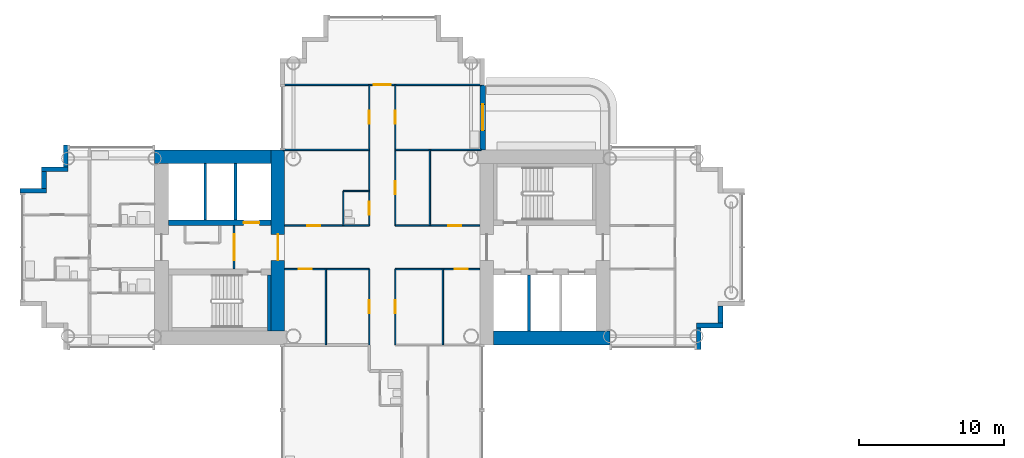
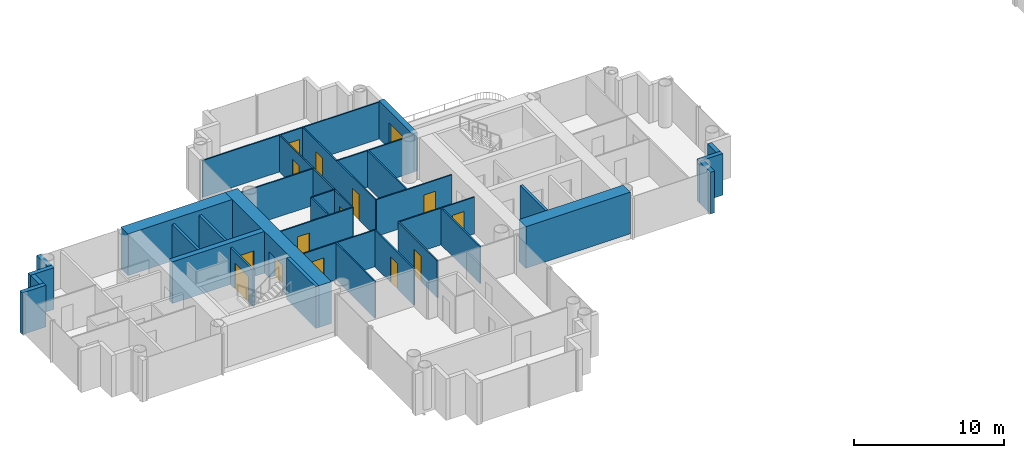
# One storey, part 10 of 21: 33 walls, 15 doors, 15 openings.
"""IFC4 building model written with IfcOpenShell, lengths in metres."""

import ifcopenshell
import ifcopenshell.guid

model = None  # the IFC model being written
_history = None  # IfcOwnerHistory: only IFC2X3 demands one
_inside = {}  # id of a spatial element -> (the spatial element, [elements in it])
_under = {}  # id of a project, library or spatial element -> (it, [spatial elements below it])
_declared = {}  # id of a project -> (the project, [libraries it declares])
_typed = {}  # id of a type object -> (the type object, [elements of that type])
_made_of = {}  # id of a material, layer set ... -> (it, [elements and type objects made of it])


def new_model(schema):
    """Start an empty IFC model of exactly this schema.

    Asked for "IFC4X3", IfcOpenShell would pick the latest addendum, in which some entities
    have other attributes; the version numbers below select the first issue.
    IFC2X3 requires an IfcOwnerHistory on every rooted entity: one is made here for all.
    """
    global model, _history
    if schema == "IFC4X3":
        model = ifcopenshell.file(schema_version=(4, 3, 0, 0))
    else:
        model = ifcopenshell.file(schema=schema)
    _inside.clear()
    _under.clear()
    _declared.clear()
    _typed.clear()
    _made_of.clear()
    _history = None
    if model.schema == "IFC2X3":
        org = make("IfcOrganization", Name="unknown")
        user = make(
            "IfcPersonAndOrganization",
            ThePerson=make("IfcPerson", FamilyName="unknown"),
            TheOrganization=org,
        )
        app = make(
            "IfcApplication",
            ApplicationDeveloper=org,
            Version="unknown",
            ApplicationFullName="unknown",
            ApplicationIdentifier="unknown",
        )
        _history = make(
            "IfcOwnerHistory",
            OwningUser=user,
            OwningApplication=app,
            ChangeAction="ADDED",
            CreationDate=0,
        )
    return model


def make(cls, **values):
    """One entity of the class cls with the attributes given. An attribute that is None is left unset."""
    return model.create_entity(
        cls, **{name: value for name, value in values.items() if value is not None}
    )


def rooted(cls, **values):
    """An entity with a GlobalId (a new one), such as an element, a storey or a relation."""
    return make(cls, GlobalId=ifcopenshell.guid.new(), OwnerHistory=_history, **values)


def si_unit(unit_type, name, prefix=None):
    """IfcSIUnit, for example si_unit("LENGTHUNIT", "METRE", prefix="MILLI")."""
    return make("IfcSIUnit", UnitType=unit_type, Prefix=prefix, Name=name)


def assignment(units):
    """IfcUnitAssignment: the units of a project."""
    return None if units is None else make("IfcUnitAssignment", Units=units)


def point(xyz):
    """IfcCartesianPoint."""
    return None if xyz is None else make("IfcCartesianPoint", Coordinates=xyz)


def direction(xyz):
    """IfcDirection."""
    return None if xyz is None else make("IfcDirection", DirectionRatios=xyz)


def frame(location, z_axis=None, x_axis=None):
    """IfcAxis2Placement3D, a coordinate frame: its origin and axes. An axis left out is left unset."""
    return make(
        "IfcAxis2Placement3D",
        Location=point(location),
        Axis=direction(z_axis),
        RefDirection=direction(x_axis),
    )


def frame_2d(location, x_axis=None):
    """IfcAxis2Placement2D, a coordinate frame in the plane: its origin and x axis."""
    return make(
        "IfcAxis2Placement2D", Location=point(location), RefDirection=direction(x_axis)
    )


def origin():
    """The frame at (0, 0, 0) with its axes left unset."""
    return frame((0.0, 0.0, 0.0))


def place(relative_to, where):
    """IfcLocalPlacement: puts the frame where relative to a parent placement (None: the world)."""
    return make(
        "IfcLocalPlacement", PlacementRelTo=relative_to, RelativePlacement=where
    )


def context(
    kind, dimensions, precision=None, world=None, true_north=None, identifier=None
):
    """IfcGeometricRepresentationContext, for example the 3D "Model" context."""
    return make(
        "IfcGeometricRepresentationContext",
        ContextIdentifier=identifier,
        ContextType=kind,
        CoordinateSpaceDimension=dimensions,
        Precision=precision,
        WorldCoordinateSystem=world,
        TrueNorth=true_north,
    )


def subcontext(parent, identifier, kind, view, scale=None):
    """IfcGeometricRepresentationSubContext, for example "Body" below "Model"."""
    return make(
        "IfcGeometricRepresentationSubContext",
        ContextIdentifier=identifier,
        ContextType=kind,
        ParentContext=parent,
        TargetScale=scale,
        TargetView=view,
    )


def project(units=None, contexts=None):
    """IfcProject with its units and contexts."""
    return rooted(
        "IfcProject",
        Name="project",
        RepresentationContexts=contexts,
        UnitsInContext=assignment(units),
    )


def spatial(cls, under=None, at=None, **own):
    """A site, building, storey or space (cls), placed at a placement, below another one or the project."""
    s = rooted(cls, ObjectPlacement=at, **own)
    if under is not None:
        _under.setdefault(under.id(), (under, []))[1].append(s)
    return s


def profile(cls, at=None, kind="AREA", **sizes):
    """A parametric profile (cls). Its sizes go by their IFC names, for example OverallWidth=200.0."""
    return make(cls, ProfileType=kind, Position=at, **sizes)


def rectangle(**sizes):
    """IfcRectangleProfileDef."""
    return profile("IfcRectangleProfileDef", **sizes)


def extrude(swept, where, along, depth):
    """IfcExtrudedAreaSolid: the profile swept, set in the frame where, extruded along a direction by depth."""
    return make(
        "IfcExtrudedAreaSolid",
        SweptArea=swept,
        Position=where,
        ExtrudedDirection=direction(along),
        Depth=depth,
    )


def shape(context_of_items, identifier, shape_type, items):
    """IfcShapeRepresentation: the items that make up one representation, for example the "Body"."""
    return make(
        "IfcShapeRepresentation",
        ContextOfItems=context_of_items,
        RepresentationIdentifier=identifier,
        RepresentationType=shape_type,
        Items=items,
    )


def material(Name=None, Category=None):
    """IfcMaterial."""
    return make("IfcMaterial", Name=Name, Category=Category)


def layer(
    of_material, thickness, ventilated=None, Name=None, Category=None, Priority=None
):
    """IfcMaterialLayer: one layer of a wall or slab, of a material (None: an air gap)."""
    return make(
        "IfcMaterialLayer",
        Material=of_material,
        LayerThickness=thickness,
        IsVentilated=ventilated,
        Name=Name,
        Category=Category,
        Priority=Priority,
    )


def layer_set(layers, Name=None):
    """IfcMaterialLayerSet."""
    return make("IfcMaterialLayerSet", MaterialLayers=layers, LayerSetName=Name)


def made_of(thing, what):
    """Note that an element or type object is made of a material, layer set ...; save() writes the relation."""
    if what is not None:
        _made_of.setdefault(what.id(), (what, []))[1].append(thing)
    return thing


def type_object(cls, material=None, **own):
    """A type object (cls), such as IfcWallType, which elements share."""
    return made_of(rooted(cls, **own), material)


def element(
    cls,
    number,
    at=None,
    inside=None,
    cuts=None,
    type_object=None,
    material=None,
    context=None,
    identifier="Body",
    shape_type=None,
    held_by="IfcProductDefinitionShape",
    body=None,
    shapes=None,
    **own,
):
    """One element of the class cls, such as IfcWall. Its Tag is "e" and its number.

    at: its placement. inside: the storey or other place that contains it. cuts: it is an
    opening in that element (IfcRelVoidsElement). A single representation is given by context,
    identifier, shape_type and body (its items); several are given by shapes. held_by: the class
    of the entity that holds the representations. save() writes the other relations.
    """
    e = rooted(cls, Tag="e%d" % number, ObjectPlacement=at, **own)
    if body is not None:
        shapes = [shape(context, identifier, shape_type, body)]
    if shapes is not None:
        e.Representation = make(held_by, Representations=shapes)
    if inside is not None:
        _inside.setdefault(inside.id(), (inside, []))[1].append(e)
    if cuts is not None:
        rooted(
            "IfcRelVoidsElement", RelatingBuildingElement=cuts, RelatedOpeningElement=e
        )
    if type_object is not None:
        _typed.setdefault(type_object.id(), (type_object, []))[1].append(e)
    return made_of(e, material)


def fill(opening, filler):
    """IfcRelFillsElement: the door or window that sits in an opening."""
    return rooted(
        "IfcRelFillsElement",
        RelatingOpeningElement=opening,
        RelatedBuildingElement=filler,
    )


def aggregate(whole, parts):
    """IfcRelAggregates: a whole, such as a stair, and the parts it consists of."""
    return rooted("IfcRelAggregates", RelatingObject=whole, RelatedObjects=parts)


def save(model, path):
    """Write the relations noted so far, then the file.

    IfcRelAggregates (storeys below a building ...), IfcRelContainedInSpatialStructure (elements
    in a storey), IfcRelDefinesByType, IfcRelAssociatesMaterial and IfcRelDeclares: one each for
    every whole, place, type object, material and project.
    """
    for whole, parts in _under.values():
        aggregate(whole, parts)
    for where, things in _inside.values():
        rooted(
            "IfcRelContainedInSpatialStructure",
            RelatedElements=things,
            RelatingStructure=where,
        )
    for kind, things in _typed.values():
        rooted("IfcRelDefinesByType", RelatedObjects=things, RelatingType=kind)
    for what, things in _made_of.values():
        rooted("IfcRelAssociatesMaterial", RelatedObjects=things, RelatingMaterial=what)
    for by, libraries in _declared.values():
        rooted("IfcRelDeclares", RelatingContext=by, RelatedDefinitions=libraries)
    model.write(path)


model = new_model("IFC4")

# Units and contexts
model_context = context("Model", 3, precision=1e-05, world=origin(), true_north=direction((0.0, 1.0)))
body_context = subcontext(model_context, "Body", "Model", "MODEL_VIEW")
ifc_project = project(units=[si_unit("LENGTHUNIT", "METRE"), si_unit("AREAUNIT", "SQUARE_METRE"), si_unit("VOLUMEUNIT", "CUBIC_METRE"), si_unit("PLANEANGLEUNIT", "RADIAN"), si_unit("MASSUNIT", "GRAM", prefix="KILO")], contexts=[model_context])

# Site, building, storey
site_placement = place(None, origin())
site = spatial("IfcSite", under=ifc_project, at=site_placement, CompositionType="ELEMENT")
building_placement = place(site_placement, origin())
building = spatial("IfcBuilding", under=site, at=building_placement, Name="Ipe Terrace Towers", CompositionType="ELEMENT")
storey_placement = place(building_placement, frame((0.0, 0.0, 83.39990234375)))
storey = spatial("IfcBuildingStorey", under=building, at=storey_placement, Name="L22", CompositionType="ELEMENT", Elevation=83.39990234375)

# Wall, opening, door
ifc_material_1 = material(Name="Concrete C40/50 with buff precast cladding", Category="concrete")
ifc_layer_1 = layer(ifc_material_1, 0.39990234375)
ifc_layer_set_1 = layer_set([ifc_layer_1], Name="BALCONY BAY WALL 400")
wall_type_1 = type_object("IfcWallType", Name="BALCONY BAY WALL 400", PredefinedType="STANDARD", material=ifc_layer_set_1)
wall_1_placement = place(storey_placement, frame((-29.050048828125, 6.75, -0.02001953125), z_axis=(0.0, 0.0, 1.0), x_axis=(0.0, 1.0, 0.0)))
wall_1 = element("IfcWall", 1, at=wall_1_placement, inside=storey, type_object=wall_type_1, Name="T1-W-L22-32a wall", PredefinedType="STANDARD", context=body_context, shape_type="SweptSolid", body=[
    extrude(rectangle(XDim=4.5, YDim=0.39990234375, at=frame_2d((2.25, 0.0))), origin(), (0.0, 0.0, 1.0), 3.1201171875),
])
opening_1_placement = place(wall_1_placement, frame((1.35009765625, 0.0, 0.02001953125)))
opening_1 = element("IfcOpeningElement", 2, at=opening_1_placement, cuts=wall_1, Name="Opening T1-D-L22-32", PredefinedType="OPENING", context=body_context, shape_type="SweptSolid", body=[
    extrude(rectangle(XDim=1.800048828125, YDim=2.10009765625, at=frame_2d((0.89990234375, 1.050048828125))), frame((0.0, 0.2099609375, 0.0), z_axis=(0.0, -1.0, 0.0), x_axis=(1.0, 0.0, 0.0)), (0.0, 0.0, 1.0), 0.419921875),
])
ifc_material_2 = material(Name="Aluminium alloy 6063-T6 framed glazed door", Category="aluminium")
door_type_1 = type_object("IfcDoorType", Name="BALCONY DOOR 1800 x 2100 LEFT", OperationType="SINGLE_SWING_LEFT", PredefinedType="DOOR", material=ifc_material_2)
door_1_placement = place(opening_1_placement, origin())
door_1 = element("IfcDoor", 3, at=door_1_placement, inside=storey, type_object=door_type_1, Name="DB1 door", OperationType="SINGLE_SWING_LEFT", OverallHeight=2.10009765625, OverallWidth=1.800048828125, PredefinedType="DOOR", context=body_context, shape_type="SweptSolid", body=[
    extrude(rectangle(XDim=1.800048828125, YDim=2.10009765625, at=frame_2d((0.89990234375, 1.050048828125))), frame((0.0, 0.02490234375, 0.0), z_axis=(0.0, -1.0, 0.0), x_axis=(1.0, 0.0, 0.0)), (0.0, 0.0, 1.0), 0.050048828125),
])
fill(opening_1, door_1)

# Walls
ifc_material_3 = material(Name="Concrete C40/50 with buff precast cladding", Category="concrete")
ifc_layer_2 = layer(ifc_material_3, 0.320068359375)
ifc_layer_set_2 = layer_set([ifc_layer_2], Name="BUFF CLADDING WALL 320")
wall_type_2 = type_object("IfcWallType", Name="BUFF CLADDING WALL 320", PredefinedType="STANDARD", material=ifc_layer_set_2)
wall_2_placement = place(storey_placement, frame((-14.090087890625, -7.070068359375, -0.2998046875), z_axis=(0.0, 0.0, 1.0), x_axis=(0.0, 1.0, 0.0)))
element("IfcWall", 4, at=wall_2_placement, inside=storey, type_object=wall_type_2, Name="T1-W-L22-21a wall", PredefinedType="STANDARD", context=body_context, shape_type="SweptSolid", body=[
    extrude(rectangle(XDim=1.5, YDim=0.320068359375, at=frame_2d((0.75, 0.0))), origin(), (0.0, 0.0, 1.0), 3.39990234375),
])
wall_3_placement = place(storey_placement, frame((-14.25, -5.409912109375, -0.2998046875), z_axis=(0.0, 0.0, 1.0), x_axis=(1.0, 0.0, 0.0)))
element("IfcWall", 5, at=wall_3_placement, inside=storey, type_object=wall_type_2, Name="T1-W-L22-22a wall", PredefinedType="STANDARD", context=body_context, shape_type="SweptSolid", body=[
    extrude(rectangle(XDim=1.820068359375, YDim=0.320068359375, at=frame_2d((0.91015625, 0.0))), origin(), (0.0, 0.0, 1.0), 3.39990234375),
])
wall_4_placement = place(storey_placement, frame((-12.590087890625, -5.25, -0.2998046875), z_axis=(0.0, 0.0, 1.0), x_axis=(0.0, 1.0, 0.0)))
element("IfcWall", 6, at=wall_4_placement, inside=storey, type_object=wall_type_2, Name="T1-W-L22-23a wall", PredefinedType="STANDARD", context=body_context, shape_type="SweptSolid", body=[
    extrude(rectangle(XDim=1.179931640625, YDim=0.320068359375, at=frame_2d((0.58984375, 0.0))), origin(), (0.0, 0.0, 1.0), 3.39990234375),
])
wall_5_placement = place(storey_placement, frame((-57.909912109375, 7.070068359375, -0.2998046875), z_axis=(0.0, 0.0, 1.0), x_axis=(0.0, -1.0, 0.0)))
element("IfcWall", 7, at=wall_5_placement, inside=storey, type_object=wall_type_2, Name="T1-W-L22-47a wall", PredefinedType="STANDARD", context=body_context, shape_type="SweptSolid", body=[
    extrude(rectangle(XDim=1.5, YDim=0.320068359375, at=frame_2d((0.75, 0.0))), origin(), (0.0, 0.0, 1.0), 3.39990234375),
])
wall_6_placement = place(storey_placement, frame((-57.75, 5.409912109375, -0.2998046875), z_axis=(0.0, 0.0, 1.0), x_axis=(-1.0, 0.0, 0.0)))
element("IfcWall", 8, at=wall_6_placement, inside=storey, type_object=wall_type_2, Name="T1-W-L22-48a wall", PredefinedType="STANDARD", context=body_context, shape_type="SweptSolid", body=[
    extrude(rectangle(XDim=1.820068359375, YDim=0.320068359375, at=frame_2d((0.91015625, 0.0))), origin(), (0.0, 0.0, 1.0), 3.39990234375),
])
wall_7_placement = place(storey_placement, frame((-59.409912109375, 5.25, -0.2998046875), z_axis=(0.0, 0.0, 1.0), x_axis=(0.0, -1.0, 0.0)))
element("IfcWall", 9, at=wall_7_placement, inside=storey, type_object=wall_type_2, Name="T1-W-L22-49a wall", PredefinedType="STANDARD", context=body_context, shape_type="SweptSolid", body=[
    extrude(rectangle(XDim=1.179931640625, YDim=0.320068359375, at=frame_2d((0.58984375, 0.0))), origin(), (0.0, 0.0, 1.0), 3.39990234375),
])
wall_8_placement = place(storey_placement, frame((-59.25, 3.909912109375, -0.2998046875), z_axis=(0.0, 0.0, 1.0), x_axis=(-1.0, 0.0, 0.0)))
element("IfcWall", 10, at=wall_8_placement, inside=storey, type_object=wall_type_2, Name="T1-W-L22-50a wall", PredefinedType="STANDARD", context=body_context, shape_type="SweptSolid", body=[
    extrude(rectangle(XDim=1.820068359375, YDim=0.320068359375, at=frame_2d((0.91015625, 0.0))), origin(), (0.0, 0.0, 1.0), 3.39990234375),
])
ifc_material_4 = material(Name="Gypsum board partition", Category="plasterboard")
ifc_layer_3 = layer(ifc_material_4, 0.10009765625)
ifc_layer_set_3 = layer_set([ifc_layer_3], Name="Gypsum board partition 100 mm")
wall_type_3 = type_object("IfcWallType", Name="Gypsum board partition 100 mm", PredefinedType="PARTITIONING", material=ifc_layer_set_3)
wall_9_placement = place(storey_placement, frame((-39.89990234375, -6.75, 0.0), z_axis=(0.0, 0.0, 1.0), x_axis=(0.0, 1.0, 0.0)))
element("IfcWall", 11, at=wall_9_placement, inside=storey, type_object=wall_type_3, Name="Gypsum board partition T1 L22 W05", PredefinedType="PARTITIONING", context=body_context, shape_type="SweptSolid", body=[
    extrude(rectangle(XDim=5.25, YDim=0.10009765625, at=frame_2d((2.625, 0.0))), origin(), (0.0, 0.0, 1.0), 3.0),
])
wall_10_placement = place(storey_placement, frame((-38.699951171875, 1.5, 0.0), z_axis=(0.0, 0.0, 1.0), x_axis=(0.0, 1.0, 0.0)))
element("IfcWall", 12, at=wall_10_placement, inside=storey, type_object=wall_type_3, Name="Gypsum board partition T1 L22 W06", PredefinedType="PARTITIONING", context=body_context, shape_type="SweptSolid", body=[
    extrude(rectangle(XDim=2.39990234375, YDim=0.10009765625, at=frame_2d((1.199951171875, 0.0))), origin(), (0.0, 0.0, 1.0), 3.0),
])

# Wall, opening, door
wall_11_placement = place(storey_placement, frame((-36.89990234375, -6.75, 0.0), z_axis=(0.0, 0.0, 1.0), x_axis=(0.0, 1.0, 0.0)))
wall_11 = element("IfcWall", 13, at=wall_11_placement, inside=storey, type_object=wall_type_3, Name="Gypsum board partition T1 L22 W07", PredefinedType="PARTITIONING", context=body_context, shape_type="SweptSolid", body=[
    extrude(rectangle(XDim=5.25, YDim=0.10009765625, at=frame_2d((2.625, 0.0))), origin(), (0.0, 0.0, 1.0), 3.0),
])
opening_2_placement = place(wall_11_placement, frame((2.175048828125, 0.0, 0.0)))
opening_2 = element("IfcOpeningElement", 14, at=opening_2_placement, cuts=wall_11, Name="Opening T1-Z2B-05", PredefinedType="OPENING", context=body_context, shape_type="SweptSolid", body=[
    extrude(rectangle(XDim=0.89990234375, YDim=2.10009765625, at=frame_2d((0.449951171875, 1.050048828125))), frame((0.0, 0.06005859375, 0.0), z_axis=(0.0, -1.0, 0.0), x_axis=(1.0, 0.0, 0.0)), (0.0, 0.0, 1.0), 0.1201171875),
])
ifc_material_5 = material(Name="Timber door leaf", Category="wood")
door_type_2 = type_object("IfcDoorType", Name="Lounge door 900 x 2100", OperationType="NOTDEFINED", PredefinedType="DOOR", material=ifc_material_5)
door_2_placement = place(opening_2_placement, origin())
door_2 = element("IfcDoor", 15, at=door_2_placement, inside=storey, type_object=door_type_2, Name="Lounge door T1-Z2B-05", OperationType="SINGLE_SWING_LEFT", OverallHeight=2.10009765625, OverallWidth=0.89990234375, PredefinedType="DOOR", context=body_context, shape_type="SweptSolid", body=[
    extrude(rectangle(XDim=0.89990234375, YDim=2.10009765625, at=frame_2d((0.449951171875, 1.050048828125))), frame((0.0, 0.02490234375, 0.0), z_axis=(0.0, -1.0, 0.0), x_axis=(1.0, 0.0, 0.0)), (0.0, 0.0, 1.0), 0.050048828125),
])
fill(opening_2, door_2)

# Wall, openings, doors
wall_12_placement = place(storey_placement, frame((-36.89990234375, 1.5, 0.0), z_axis=(0.0, 0.0, 1.0), x_axis=(0.0, 1.0, 0.0)))
wall_12 = element("IfcWall", 16, at=wall_12_placement, inside=storey, type_object=wall_type_3, Name="Gypsum board partition T1 L22 W08", PredefinedType="PARTITIONING", context=body_context, shape_type="SweptSolid", body=[
    extrude(rectangle(XDim=9.75, YDim=0.10009765625, at=frame_2d((4.875, 0.0))), origin(), (0.0, 0.0, 1.0), 3.0),
])
opening_3_placement = place(wall_12_placement, frame((0.75, 0.0, 0.0)))
opening_3 = element("IfcOpeningElement", 17, at=opening_3_placement, cuts=wall_12, Name="Opening T1-Z2B-01", PredefinedType="OPENING", context=body_context, shape_type="SweptSolid", body=[
    extrude(rectangle(XDim=0.89990234375, YDim=2.10009765625, at=frame_2d((0.449951171875, 1.050048828125))), frame((0.0, 0.06005859375, 0.0), z_axis=(0.0, -1.0, 0.0), x_axis=(1.0, 0.0, 0.0)), (0.0, 0.0, 1.0), 0.1201171875),
])
opening_4_placement = place(wall_12_placement, frame((7.050048828125, 0.0, 0.0)))
opening_4 = element("IfcOpeningElement", 18, at=opening_4_placement, cuts=wall_12, Name="Opening T1-Z2B-09", PredefinedType="OPENING", context=body_context, shape_type="SweptSolid", body=[
    extrude(rectangle(XDim=0.89990234375, YDim=2.10009765625, at=frame_2d((0.449951171875, 1.050048828125))), frame((0.0, 0.06005859375, 0.0), z_axis=(0.0, -1.0, 0.0), x_axis=(1.0, 0.0, 0.0)), (0.0, 0.0, 1.0), 0.1201171875),
])
ifc_material_6 = material(Name="Timber door leaf", Category="wood")
door_type_3 = type_object("IfcDoorType", Name="Bathroom door 900 x 2100", OperationType="NOTDEFINED", PredefinedType="DOOR", material=ifc_material_6)
door_3_placement = place(opening_3_placement, origin())
door_3 = element("IfcDoor", 19, at=door_3_placement, inside=storey, type_object=door_type_3, Name="Bathroom door T1-Z2B-01", OperationType="SINGLE_SWING_RIGHT", OverallHeight=2.10009765625, OverallWidth=0.89990234375, PredefinedType="DOOR", context=body_context, shape_type="SweptSolid", body=[
    extrude(rectangle(XDim=0.89990234375, YDim=2.10009765625, at=frame_2d((0.449951171875, 1.050048828125))), frame((0.0, 0.02490234375, 0.0), z_axis=(0.0, -1.0, 0.0), x_axis=(1.0, 0.0, 0.0)), (0.0, 0.0, 1.0), 0.050048828125),
])
fill(opening_3, door_3)
door_4_placement = place(opening_4_placement, origin())
door_4 = element("IfcDoor", 20, at=door_4_placement, inside=storey, type_object=door_type_2, Name="Lounge door T1-Z2B-09", OperationType="SINGLE_SWING_LEFT", OverallHeight=2.10009765625, OverallWidth=0.89990234375, PredefinedType="DOOR", context=body_context, shape_type="SweptSolid", body=[
    extrude(rectangle(XDim=0.89990234375, YDim=2.10009765625, at=frame_2d((0.449951171875, 1.050048828125))), frame((0.0, 0.02490234375, 0.0), z_axis=(0.0, -1.0, 0.0), x_axis=(1.0, 0.0, 0.0)), (0.0, 0.0, 1.0), 0.050048828125),
])
fill(opening_4, door_4)

# Wall, opening, door
wall_13_placement = place(storey_placement, frame((-35.10009765625, -6.75, 0.0), z_axis=(0.0, 0.0, 1.0), x_axis=(0.0, 1.0, 0.0)))
wall_13 = element("IfcWall", 21, at=wall_13_placement, inside=storey, type_object=wall_type_3, Name="Gypsum board partition T1 L22 W11", PredefinedType="PARTITIONING", context=body_context, shape_type="SweptSolid", body=[
    extrude(rectangle(XDim=5.25, YDim=0.10009765625, at=frame_2d((2.625, 0.0))), origin(), (0.0, 0.0, 1.0), 3.0),
])
opening_5_placement = place(wall_13_placement, frame((2.175048828125, 0.0, 0.0)))
opening_5 = element("IfcOpeningElement", 22, at=opening_5_placement, cuts=wall_13, Name="Opening T1-Z2B-07", PredefinedType="OPENING", context=body_context, shape_type="SweptSolid", body=[
    extrude(rectangle(XDim=0.89990234375, YDim=2.10009765625, at=frame_2d((0.449951171875, 1.050048828125))), frame((0.0, 0.06005859375, 0.0), z_axis=(0.0, -1.0, 0.0), x_axis=(1.0, 0.0, 0.0)), (0.0, 0.0, 1.0), 0.1201171875),
])
door_5_placement = place(opening_5_placement, origin())
door_5 = element("IfcDoor", 23, at=door_5_placement, inside=storey, type_object=door_type_2, Name="Lounge door T1-Z2B-07", OperationType="SINGLE_SWING_RIGHT", OverallHeight=2.10009765625, OverallWidth=0.89990234375, PredefinedType="DOOR", context=body_context, shape_type="SweptSolid", body=[
    extrude(rectangle(XDim=0.89990234375, YDim=2.10009765625, at=frame_2d((0.449951171875, 1.050048828125))), frame((0.0, 0.02490234375, 0.0), z_axis=(0.0, -1.0, 0.0), x_axis=(1.0, 0.0, 0.0)), (0.0, 0.0, 1.0), 0.050048828125),
])
fill(opening_5, door_5)

# Wall, openings, doors
wall_14_placement = place(storey_placement, frame((-35.10009765625, 1.5, 0.0), z_axis=(0.0, 0.0, 1.0), x_axis=(0.0, 1.0, 0.0)))
wall_14 = element("IfcWall", 24, at=wall_14_placement, inside=storey, type_object=wall_type_3, Name="Gypsum board partition T1 L22 W12", PredefinedType="PARTITIONING", context=body_context, shape_type="SweptSolid", body=[
    extrude(rectangle(XDim=9.75, YDim=0.10009765625, at=frame_2d((4.875, 0.0))), origin(), (0.0, 0.0, 1.0), 3.0),
])
opening_6_placement = place(wall_14_placement, frame((2.175048828125, 0.0, 0.0)))
opening_6 = element("IfcOpeningElement", 25, at=opening_6_placement, cuts=wall_14, Name="Opening T1-Z2B-02", PredefinedType="OPENING", context=body_context, shape_type="SweptSolid", body=[
    extrude(rectangle(XDim=0.89990234375, YDim=2.10009765625, at=frame_2d((0.449951171875, 1.050048828125))), frame((0.0, 0.06005859375, 0.0), z_axis=(0.0, -1.0, 0.0), x_axis=(1.0, 0.0, 0.0)), (0.0, 0.0, 1.0), 0.1201171875),
])
opening_7_placement = place(wall_14_placement, frame((7.050048828125, 0.0, 0.0)))
opening_7 = element("IfcOpeningElement", 26, at=opening_7_placement, cuts=wall_14, Name="Opening T1-Z2B-10", PredefinedType="OPENING", context=body_context, shape_type="SweptSolid", body=[
    extrude(rectangle(XDim=0.89990234375, YDim=2.10009765625, at=frame_2d((0.449951171875, 1.050048828125))), frame((0.0, 0.06005859375, 0.0), z_axis=(0.0, -1.0, 0.0), x_axis=(1.0, 0.0, 0.0)), (0.0, 0.0, 1.0), 0.1201171875),
])
door_6_placement = place(opening_6_placement, origin())
door_6 = element("IfcDoor", 27, at=door_6_placement, inside=storey, type_object=door_type_2, Name="Lounge door T1-Z2B-02", OperationType="SINGLE_SWING_LEFT", OverallHeight=2.10009765625, OverallWidth=0.89990234375, PredefinedType="DOOR", context=body_context, shape_type="SweptSolid", body=[
    extrude(rectangle(XDim=0.89990234375, YDim=2.10009765625, at=frame_2d((0.449951171875, 1.050048828125))), frame((0.0, 0.02490234375, 0.0), z_axis=(0.0, -1.0, 0.0), x_axis=(1.0, 0.0, 0.0)), (0.0, 0.0, 1.0), 0.050048828125),
])
fill(opening_6, door_6)
door_7_placement = place(opening_7_placement, origin())
door_7 = element("IfcDoor", 28, at=door_7_placement, inside=storey, type_object=door_type_2, Name="Lounge door T1-Z2B-10", OperationType="SINGLE_SWING_RIGHT", OverallHeight=2.10009765625, OverallWidth=0.89990234375, PredefinedType="DOOR", context=body_context, shape_type="SweptSolid", body=[
    extrude(rectangle(XDim=0.89990234375, YDim=2.10009765625, at=frame_2d((0.449951171875, 1.050048828125))), frame((0.0, 0.02490234375, 0.0), z_axis=(0.0, -1.0, 0.0), x_axis=(1.0, 0.0, 0.0)), (0.0, 0.0, 1.0), 0.050048828125),
])
fill(opening_7, door_7)

# Walls
for number, where, z_axis, x_axis, name in (
    (29, (-32.699951171875, 1.5, 0.0), (0.0, 0.0, 1.0), (0.0, 1.0, 0.0), "Gypsum board partition T1 L22 W15"),
    (30, (-31.800048828125, -6.75, 0.0), (0.0, 0.0, 1.0), (0.0, 1.0, 0.0), "Gypsum board partition T1 L22 W16"),
):
    element("IfcWall", number, at=place(storey_placement, frame(where, z_axis=z_axis, x_axis=x_axis)), inside=storey, type_object=wall_type_3, Name=name, PredefinedType="PARTITIONING", context=body_context, shape_type="SweptSolid", body=[
        extrude(rectangle(XDim=5.25, YDim=0.10009765625, at=frame_2d((2.625, 0.0))), origin(), (0.0, 0.0, 1.0), 3.0),
    ])

# Wall, opening, door
wall_15_placement = place(storey_placement, frame((-42.75, -1.5, 0.0), z_axis=(0.0, 0.0, 1.0), x_axis=(1.0, 0.0, 0.0)))
wall_15 = element("IfcWall", 31, at=wall_15_placement, inside=storey, type_object=wall_type_3, Name="Gypsum board partition T1 L22 W26", PredefinedType="PARTITIONING", context=body_context, shape_type="SweptSolid", body=[
    extrude(rectangle(XDim=5.85009765625, YDim=0.10009765625, at=frame_2d((2.925048828125, 0.0))), origin(), (0.0, 0.0, 1.0), 3.0),
])
opening_8_placement = place(wall_15_placement, frame((0.97509765625, 0.0, 0.0)))
opening_8 = element("IfcOpeningElement", 32, at=opening_8_placement, cuts=wall_15, Name="Opening T1-Z2B-06", PredefinedType="OPENING", context=body_context, shape_type="SweptSolid", body=[
    extrude(rectangle(XDim=0.89990234375, YDim=2.10009765625, at=frame_2d((0.449951171875, 1.050048828125))), frame((0.0, 0.06005859375, 0.0), z_axis=(0.0, -1.0, 0.0), x_axis=(1.0, 0.0, 0.0)), (0.0, 0.0, 1.0), 0.1201171875),
])
door_8_placement = place(opening_8_placement, origin())
door_8 = element("IfcDoor", 33, at=door_8_placement, inside=storey, type_object=door_type_2, Name="Lounge door T1-Z2B-06", OperationType="SINGLE_SWING_LEFT", OverallHeight=2.10009765625, OverallWidth=0.89990234375, PredefinedType="DOOR", context=body_context, shape_type="SweptSolid", body=[
    extrude(rectangle(XDim=0.89990234375, YDim=2.10009765625, at=frame_2d((0.449951171875, 1.050048828125))), frame((0.0, 0.02490234375, 0.0), z_axis=(0.0, -1.0, 0.0), x_axis=(1.0, 0.0, 0.0)), (0.0, 0.0, 1.0), 0.050048828125),
])
fill(opening_8, door_8)

wall_16_placement = place(storey_placement, frame((-35.10009765625, -1.5, 0.0), z_axis=(0.0, 0.0, 1.0), x_axis=(1.0, 0.0, 0.0)))
wall_16 = element("IfcWall", 34, at=wall_16_placement, inside=storey, type_object=wall_type_3, Name="Gypsum board partition T1 L22 W27", PredefinedType="PARTITIONING", context=body_context, shape_type="SweptSolid", body=[
    extrude(rectangle(XDim=5.85009765625, YDim=0.10009765625, at=frame_2d((2.925048828125, 0.0))), origin(), (0.0, 0.0, 1.0), 3.0),
])
opening_9_placement = place(wall_16_placement, frame((4.125, 0.0, 0.0)))
opening_9 = element("IfcOpeningElement", 35, at=opening_9_placement, cuts=wall_16, Name="Opening T1-Z2B-08", PredefinedType="OPENING", context=body_context, shape_type="SweptSolid", body=[
    extrude(rectangle(XDim=0.89990234375, YDim=2.10009765625, at=frame_2d((0.449951171875, 1.050048828125))), frame((0.0, 0.06005859375, 0.0), z_axis=(0.0, -1.0, 0.0), x_axis=(1.0, 0.0, 0.0)), (0.0, 0.0, 1.0), 0.1201171875),
])
door_9_placement = place(opening_9_placement, origin())
door_9 = element("IfcDoor", 36, at=door_9_placement, inside=storey, type_object=door_type_2, Name="Lounge door T1-Z2B-08", OperationType="SINGLE_SWING_RIGHT", OverallHeight=2.10009765625, OverallWidth=0.89990234375, PredefinedType="DOOR", context=body_context, shape_type="SweptSolid", body=[
    extrude(rectangle(XDim=0.89990234375, YDim=2.10009765625, at=frame_2d((0.449951171875, 1.050048828125))), frame((0.0, 0.02490234375, 0.0), z_axis=(0.0, -1.0, 0.0), x_axis=(1.0, 0.0, 0.0)), (0.0, 0.0, 1.0), 0.050048828125),
])
fill(opening_9, door_9)

wall_17_placement = place(storey_placement, frame((-42.75, 1.5, 0.0), z_axis=(0.0, 0.0, 1.0), x_axis=(1.0, 0.0, 0.0)))
wall_17 = element("IfcWall", 37, at=wall_17_placement, inside=storey, type_object=wall_type_3, Name="Gypsum board partition T1 L22 W31", PredefinedType="PARTITIONING", context=body_context, shape_type="SweptSolid", body=[
    extrude(rectangle(XDim=5.85009765625, YDim=0.10009765625, at=frame_2d((2.925048828125, 0.0))), origin(), (0.0, 0.0, 1.0), 3.0),
])
opening_10_placement = place(wall_17_placement, frame((1.574951171875, 0.0, 0.0)))
opening_10 = element("IfcOpeningElement", 38, at=opening_10_placement, cuts=wall_17, Name="Opening T1-Z2B-04", PredefinedType="OPENING", context=body_context, shape_type="SweptSolid", body=[
    extrude(rectangle(XDim=0.89990234375, YDim=2.10009765625, at=frame_2d((0.449951171875, 1.050048828125))), frame((0.0, 0.06005859375, 0.0), z_axis=(0.0, -1.0, 0.0), x_axis=(1.0, 0.0, 0.0)), (0.0, 0.0, 1.0), 0.1201171875),
])
door_10_placement = place(opening_10_placement, origin())
door_10 = element("IfcDoor", 39, at=door_10_placement, inside=storey, type_object=door_type_2, Name="Lounge door T1-Z2B-04", OperationType="SINGLE_SWING_RIGHT", OverallHeight=2.10009765625, OverallWidth=0.89990234375, PredefinedType="DOOR", context=body_context, shape_type="SweptSolid", body=[
    extrude(rectangle(XDim=0.89990234375, YDim=2.10009765625, at=frame_2d((0.449951171875, 1.050048828125))), frame((0.0, 0.02490234375, 0.0), z_axis=(0.0, -1.0, 0.0), x_axis=(1.0, 0.0, 0.0)), (0.0, 0.0, 1.0), 0.050048828125),
])
fill(opening_10, door_10)

wall_18_placement = place(storey_placement, frame((-35.10009765625, 1.5, 0.0), z_axis=(0.0, 0.0, 1.0), x_axis=(1.0, 0.0, 0.0)))
wall_18 = element("IfcWall", 40, at=wall_18_placement, inside=storey, type_object=wall_type_3, Name="Gypsum board partition T1 L22 W32", PredefinedType="PARTITIONING", context=body_context, shape_type="SweptSolid", body=[
    extrude(rectangle(XDim=5.85009765625, YDim=0.10009765625, at=frame_2d((2.925048828125, 0.0))), origin(), (0.0, 0.0, 1.0), 3.0),
])
opening_11_placement = place(wall_18_placement, frame((3.675048828125, 0.0, 0.0)))
opening_11 = element("IfcOpeningElement", 41, at=opening_11_placement, cuts=wall_18, Name="Opening T1-Z2B-03", PredefinedType="OPENING", context=body_context, shape_type="SweptSolid", body=[
    extrude(rectangle(XDim=0.89990234375, YDim=2.10009765625, at=frame_2d((0.449951171875, 1.050048828125))), frame((0.0, 0.06005859375, 0.0), z_axis=(0.0, -1.0, 0.0), x_axis=(1.0, 0.0, 0.0)), (0.0, 0.0, 1.0), 0.1201171875),
])
door_11_placement = place(opening_11_placement, origin())
door_11 = element("IfcDoor", 42, at=door_11_placement, inside=storey, type_object=door_type_2, Name="Lounge door T1-Z2B-03", OperationType="SINGLE_SWING_LEFT", OverallHeight=2.10009765625, OverallWidth=0.89990234375, PredefinedType="DOOR", context=body_context, shape_type="SweptSolid", body=[
    extrude(rectangle(XDim=0.89990234375, YDim=2.10009765625, at=frame_2d((0.449951171875, 1.050048828125))), frame((0.0, 0.02490234375, 0.0), z_axis=(0.0, -1.0, 0.0), x_axis=(1.0, 0.0, 0.0)), (0.0, 0.0, 1.0), 0.050048828125),
])
fill(opening_11, door_11)

# Walls
wall_19_placement = place(storey_placement, frame((-38.699951171875, 3.89990234375, 0.0), z_axis=(0.0, 0.0, 1.0), x_axis=(1.0, 0.0, 0.0)))
element("IfcWall", 43, at=wall_19_placement, inside=storey, type_object=wall_type_3, Name="Gypsum board partition T1 L22 W37", PredefinedType="PARTITIONING", context=body_context, shape_type="SweptSolid", body=[
    extrude(rectangle(XDim=1.800048828125, YDim=0.10009765625, at=frame_2d((0.89990234375, 0.0))), origin(), (0.0, 0.0, 1.0), 3.0),
])
for number, where, z_axis, x_axis, name in (
    (44, (-42.85009765625, 6.75, 0.0), (0.0, 0.0, 1.0), (1.0, 0.0, 0.0), "Gypsum board partition T1 L22 W38"),
    (45, (-35.10009765625, 6.75, 0.0), (0.0, 0.0, 1.0), (1.0, 0.0, 0.0), "Gypsum board partition T1 L22 W39"),
):
    element("IfcWall", number, at=place(storey_placement, frame(where, z_axis=z_axis, x_axis=x_axis)), inside=storey, type_object=wall_type_3, Name=name, PredefinedType="PARTITIONING", context=body_context, shape_type="SweptSolid", body=[
        extrude(rectangle(XDim=5.9501953125, YDim=0.10009765625, at=frame_2d((2.97509765625, 0.0))), origin(), (0.0, 0.0, 1.0), 3.0),
    ])

# Wall, opening, door
wall_20_placement = place(storey_placement, frame((-42.85009765625, 11.25, 0.0), z_axis=(0.0, 0.0, 1.0), x_axis=(1.0, 0.0, 0.0)))
wall_20 = element("IfcWall", 46, at=wall_20_placement, inside=storey, type_object=wall_type_3, Name="Gypsum board partition T1 L22 W40", PredefinedType="PARTITIONING", context=body_context, shape_type="SweptSolid", body=[
    extrude(rectangle(XDim=13.7001953125, YDim=0.10009765625, at=frame_2d((6.85009765625, 0.0))), origin(), (0.0, 0.0, 1.0), 3.0),
])
opening_12_placement = place(wall_20_placement, frame((6.25, 0.0, 0.0)))
opening_12 = element("IfcOpeningElement", 47, at=opening_12_placement, cuts=wall_20, Name="Opening T1-Z2B-11", PredefinedType="OPENING", context=body_context, shape_type="SweptSolid", body=[
    extrude(rectangle(XDim=1.199951171875, YDim=2.10009765625, at=frame_2d((0.60009765625, 1.050048828125))), frame((0.0, 0.06005859375, 0.0), z_axis=(0.0, -1.0, 0.0), x_axis=(1.0, 0.0, 0.0)), (0.0, 0.0, 1.0), 0.1201171875),
])
ifc_material_7 = material(Name="Timber door leaf", Category="wood")
door_type_4 = type_object("IfcDoorType", Name="Lounge door 1200 x 2100", OperationType="NOTDEFINED", PredefinedType="DOOR", material=ifc_material_7)
door_12_placement = place(opening_12_placement, origin())
door_12 = element("IfcDoor", 48, at=door_12_placement, inside=storey, type_object=door_type_4, Name="Lounge door T1-Z2B-11", OperationType="SINGLE_SWING_LEFT", OverallHeight=2.10009765625, OverallWidth=1.199951171875, PredefinedType="DOOR", context=body_context, shape_type="SweptSolid", body=[
    extrude(rectangle(XDim=1.199951171875, YDim=2.10009765625, at=frame_2d((0.60009765625, 1.050048828125))), frame((0.0, 0.02490234375, 0.0), z_axis=(0.0, -1.0, 0.0), x_axis=(1.0, 0.0, 0.0)), (0.0, 0.0, 1.0), 0.050048828125),
])
fill(opening_12, door_12)

ifc_material_8 = material(Name="Gypsum board partition", Category="plasterboard")
ifc_layer_4 = layer(ifc_material_8, 0.14990234375)
ifc_layer_set_4 = layer_set([ifc_layer_4], Name="Gypsum board partition 150 mm")
wall_type_4 = type_object("IfcWallType", Name="Gypsum board partition 150 mm", PredefinedType="PARTITIONING", material=ifc_layer_set_4)
wall_21_placement = place(storey_placement, frame((-46.25, 1.5, 0.0), z_axis=(0.0, 0.0, 1.0), x_axis=(0.0, -1.0, 0.0)))
wall_21 = element("IfcWall", 49, at=wall_21_placement, inside=storey, type_object=wall_type_4, Name="Gypsum board partition T1 L22 t1c2-lobby-wall", PredefinedType="PARTITIONING", context=body_context, shape_type="SweptSolid", body=[
    extrude(rectangle(XDim=3.0, YDim=0.14990234375, at=frame_2d((1.5, 0.0))), origin(), (0.0, 0.0, 1.0), 3.0),
])
opening_13_placement = place(wall_21_placement, frame((0.60009765625, 0.0, 0.0)))
opening_13 = element("IfcOpeningElement", 50, at=opening_13_placement, cuts=wall_21, Name="Opening T1C2-VD", PredefinedType="OPENING", context=body_context, shape_type="SweptSolid", body=[
    extrude(rectangle(XDim=1.800048828125, YDim=2.10009765625, at=frame_2d((0.89990234375, 1.050048828125))), frame((0.0, 0.0849609375, 0.0), z_axis=(0.0, -1.0, 0.0), x_axis=(1.0, 0.0, 0.0)), (0.0, 0.0, 1.0), 0.169921875),
])
ifc_material_9 = material(Name="Fire-rated timber door leaf", Category="wood")
door_type_5 = type_object("IfcDoorType", Name="Lobby door 1800 x 2100 FD60", OperationType="NOTDEFINED", PredefinedType="DOOR", material=ifc_material_9)
door_13_placement = place(opening_13_placement, origin())
door_13 = element("IfcDoor", 51, at=door_13_placement, inside=storey, type_object=door_type_5, Name="Lobby door T1C2-VD", OperationType="SINGLE_SWING_LEFT", OverallHeight=2.10009765625, OverallWidth=1.800048828125, PredefinedType="DOOR", context=body_context, shape_type="SweptSolid", body=[
    extrude(rectangle(XDim=1.800048828125, YDim=2.10009765625, at=frame_2d((0.89990234375, 1.050048828125))), frame((0.0, 0.02490234375, 0.0), z_axis=(0.0, -1.0, 0.0), x_axis=(1.0, 0.0, 0.0)), (0.0, 0.0, 1.0), 0.050048828125),
])
fill(opening_13, door_13)

# Walls
ifc_material_10 = material(Name="Gypsum board party wall", Category="plasterboard")
ifc_layer_5 = layer(ifc_material_10, 0.199951171875)
ifc_layer_set_5 = layer_set([ifc_layer_5], Name="Gypsum board party wall 200 mm")
wall_type_5 = type_object("IfcWallType", Name="Gypsum board party wall 200 mm", PredefinedType="SOLIDWALL", material=ifc_layer_set_5)
for number, where, z_axis, x_axis, name in (
    (52, (-25.85009765625, -5.800048828125, 0.0), (0.0, 0.0, 1.0), (0.0, 1.0, 0.0), "Gypsum board party wall T1 L22 t1c1-shaft-div1"),
    (53, (-46.14990234375, 5.800048828125, 0.0), (0.0, 0.0, 1.0), (0.0, -1.0, 0.0), "Gypsum board party wall T1 L22 t1c2-shaft-div1"),
    (54, (-48.25, 5.800048828125, 0.0), (0.0, 0.0, 1.0), (0.0, -1.0, 0.0), "Gypsum board party wall T1 L22 t1c2-shaft-div2"),
):
    element("IfcWall", number, at=place(storey_placement, frame(where, z_axis=z_axis, x_axis=x_axis)), inside=storey, type_object=wall_type_5, Name=name, PredefinedType="SOLIDWALL", context=body_context, shape_type="SweptSolid", body=[
        extrude(rectangle(XDim=3.900146484375, YDim=0.199951171875, at=frame_2d((1.9501953125, 0.0))), origin(), (0.0, 0.0, 1.0), 3.0),
    ])
ifc_material_11 = material(Name="Concrete C50/60", Category="concrete")
ifc_layer_6 = layer(ifc_material_11, 0.25)
ifc_layer_set_6 = layer_set([ifc_layer_6], Name="RW250 CORE INFILL WALL 250 C50-60")
wall_type_6 = type_object("IfcWallType", Name="RW250 CORE INFILL WALL 250 C50-60", PredefinedType="SHEAR", material=ifc_layer_set_6)
wall_22_placement = place(storey_placement, frame((-43.824951171875, -1.89990234375, 0.0), z_axis=(0.0, 0.0, 1.0), x_axis=(0.0, -1.0, 0.0)))
element("IfcWall", 55, at=wall_22_placement, inside=storey, type_object=wall_type_6, Name="Core infill wall T1-C2-near", PredefinedType="SHEAR", context=body_context, shape_type="SweptSolid", body=[
    extrude(rectangle(XDim=3.900146484375, YDim=0.25, at=frame_2d((1.9501953125, 0.0))), origin(), (0.0, 0.0, 1.0), 3.400146484375),
])

# Wall, opening, door
ifc_material_12 = material(Name="Concrete C50/60", Category="concrete")
ifc_layer_7 = layer(ifc_material_12, 0.39990234375)
ifc_layer_set_7 = layer_set([ifc_layer_7], Name="RW400 CORE SPINE WALL 400 C50-60")
wall_type_7 = type_object("IfcWallType", Name="RW400 CORE SPINE WALL 400 C50-60", PredefinedType="SHEAR", material=ifc_layer_set_7)
wall_23_placement = place(storey_placement, frame((-50.800048828125, 1.699951171875, 0.0), z_axis=(0.0, 0.0, 1.0), x_axis=(1.0, 0.0, 0.0)))
wall_23 = element("IfcWall", 56, at=wall_23_placement, inside=storey, type_object=wall_type_7, Name="Core spine wall T1-C2-Z2-SW2", PredefinedType="SHEAR", context=body_context, shape_type="SweptSolid", body=[
    extrude(rectangle(XDim=7.10009765625, YDim=0.39990234375, at=frame_2d((3.550048828125, 0.0))), origin(), (0.0, 0.0, 1.0), 3.400146484375),
])
opening_14_placement = place(wall_23_placement, frame((5.199951171875, 0.0, 0.0)))
opening_14 = element("IfcOpeningElement", 57, at=opening_14_placement, cuts=wall_23, Name="Opening T1C2-LD1", PredefinedType="OPENING", context=body_context, shape_type="SweptSolid", body=[
    extrude(rectangle(XDim=1.10009765625, YDim=2.10009765625, at=frame_2d((0.550048828125, 1.050048828125))), frame((0.0, 0.2099609375, 0.0), z_axis=(0.0, -1.0, 0.0), x_axis=(1.0, 0.0, 0.0)), (0.0, 0.0, 1.0), 0.419921875),
])
ifc_material_13 = material(Name="Fire-rated timber door leaf", Category="wood")
door_type_6 = type_object("IfcDoorType", Name="Sliding door 1100 x 2100 FD60", OperationType="SLIDING_TO_LEFT", PredefinedType="DOOR", material=ifc_material_13)
door_14_placement = place(opening_14_placement, origin())
door_14 = element("IfcDoor", 58, at=door_14_placement, inside=storey, type_object=door_type_6, Name="Sliding door T1C2-LD1", OperationType="SLIDING_TO_LEFT", OverallHeight=2.10009765625, OverallWidth=1.10009765625, PredefinedType="DOOR", context=body_context, shape_type="SweptSolid", body=[
    extrude(rectangle(XDim=1.10009765625, YDim=2.10009765625, at=frame_2d((0.550048828125, 1.050048828125))), frame((0.0, 0.02490234375, 0.0), z_axis=(0.0, -1.0, 0.0), x_axis=(1.0, 0.0, 0.0)), (0.0, 0.0, 1.0), 0.050048828125),
])
fill(opening_14, door_14)

# Wall
ifc_material_14 = material(Name="Concrete C50/60", Category="concrete")
ifc_layer_8 = layer(ifc_material_14, 0.949951171875)
ifc_layer_set_8 = layer_set([ifc_layer_8], Name="RW950 CORE WALL 950 C50-60")
wall_type_8 = type_object("IfcWallType", Name="RW950 CORE WALL 950 C50-60", PredefinedType="SHEAR", material=ifc_layer_set_8)
wall_24_placement = place(storey_placement, frame((-28.300048828125, -6.27490234375, 0.0), z_axis=(0.0, 0.0, 1.0), x_axis=(1.0, 0.0, 0.0)))
element("IfcWall", 59, at=wall_24_placement, inside=storey, type_object=wall_type_8, Name="Core wall T1-C1-Z2-W01", PredefinedType="SHEAR", context=body_context, shape_type="SweptSolid", body=[
    extrude(rectangle(XDim=8.050048828125, YDim=0.949951171875, at=frame_2d((4.02490234375, 0.0))), origin(), (0.0, 0.0, 1.0), 3.400146484375),
])

# Wall, opening, door
wall_25_placement = place(storey_placement, frame((-43.22509765625, -5.800048828125, 0.0), z_axis=(0.0, 0.0, 1.0), x_axis=(0.0, 1.0, 0.0)))
wall_25 = element("IfcWall", 60, at=wall_25_placement, inside=storey, type_object=wall_type_8, Name="Core wall T1-C2-Z2-W02", PredefinedType="SHEAR", context=body_context, shape_type="SweptSolid", body=[
    extrude(rectangle(XDim=12.550048828125, YDim=0.949951171875, at=frame_2d((6.27490234375, 0.0))), origin(), (0.0, 0.0, 1.0), 3.400146484375),
])
opening_15_placement = place(wall_25_placement, frame((4.89990234375, 0.0, 0.0)))
opening_15 = element("IfcOpeningElement", 61, at=opening_15_placement, cuts=wall_25, Name="Opening T1C2-ND", PredefinedType="OPENING", context=body_context, shape_type="SweptSolid", body=[
    extrude(rectangle(XDim=1.800048828125, YDim=2.10009765625, at=frame_2d((0.89990234375, 1.050048828125))), frame((0.0, 0.48486328125, 0.0), z_axis=(0.0, -1.0, 0.0), x_axis=(1.0, 0.0, 0.0)), (0.0, 0.0, 1.0), 0.969970703125),
])
ifc_material_15 = material(Name="Fire-rated timber door leaf", Category="wood")
door_type_7 = type_object("IfcDoorType", Name="Fire door 1800 x 2100 FD30S", OperationType="NOTDEFINED", PredefinedType="DOOR", material=ifc_material_15)
door_15_placement = place(opening_15_placement, origin())
door_15 = element("IfcDoor", 62, at=door_15_placement, inside=storey, type_object=door_type_7, Name="Fire door T1C2-ND", OperationType="SINGLE_SWING_LEFT", OverallHeight=2.10009765625, OverallWidth=1.800048828125, PredefinedType="DOOR", context=body_context, shape_type="SweptSolid", body=[
    extrude(rectangle(XDim=1.800048828125, YDim=2.10009765625, at=frame_2d((0.89990234375, 1.050048828125))), frame((0.0, 0.02490234375, 0.0), z_axis=(0.0, -1.0, 0.0), x_axis=(1.0, 0.0, 0.0)), (0.0, 0.0, 1.0), 0.050048828125),
])
fill(opening_15, door_15)

# Wall
wall_26_placement = place(storey_placement, frame((-43.699951171875, 6.27490234375, 0.0), z_axis=(0.0, 0.0, 1.0), x_axis=(-1.0, 0.0, 0.0)))
element("IfcWall", 63, at=wall_26_placement, inside=storey, type_object=wall_type_8, Name="Core wall T1-C2-Z2-W03", PredefinedType="SHEAR", context=body_context, shape_type="SweptSolid", body=[
    extrude(rectangle(XDim=8.050048828125, YDim=0.949951171875, at=frame_2d((4.02490234375, 0.0))), origin(), (0.0, 0.0, 1.0), 3.400146484375),
])

save(model, "model.ifc")
